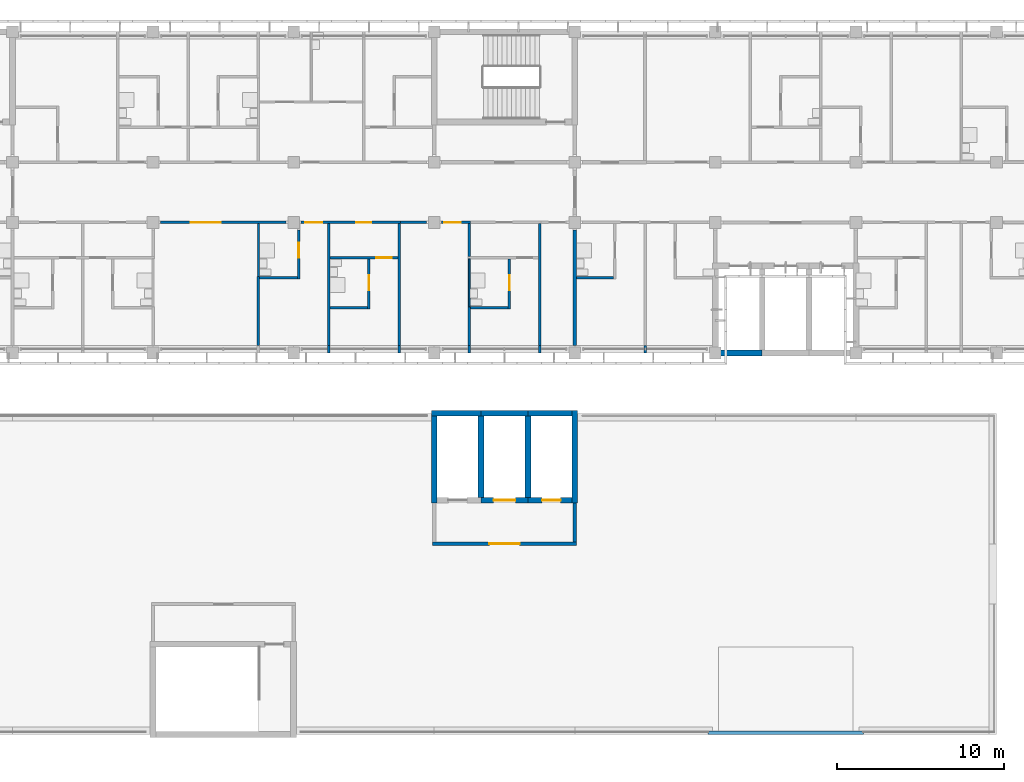
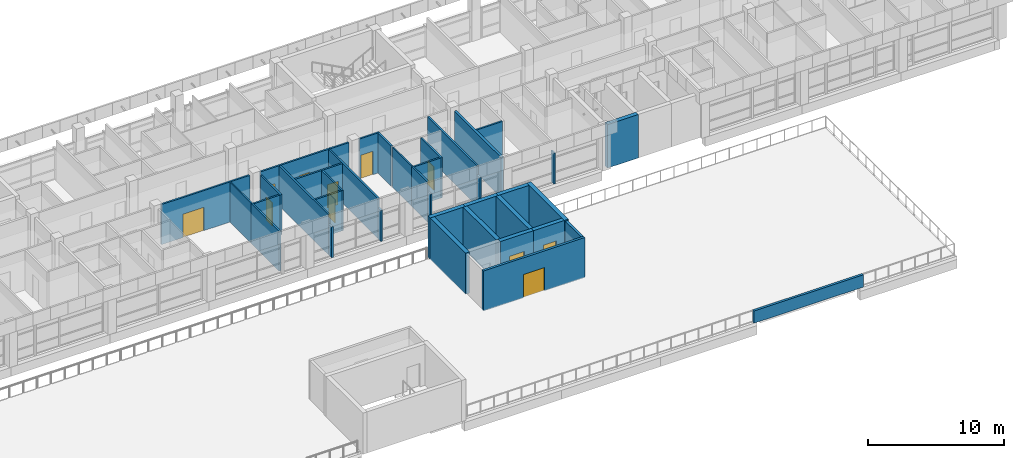
# One storey, part 23 of 46: 39 walls, 11 doors, 11 openings.
"""IFC4 building model written with IfcOpenShell, lengths in metres."""

import ifcopenshell
import ifcopenshell.guid

model = None  # the IFC model being written
_history = None  # IfcOwnerHistory: only IFC2X3 demands one
_inside = {}  # id of a spatial element -> (the spatial element, [elements in it])
_under = {}  # id of a project, library or spatial element -> (it, [spatial elements below it])
_declared = {}  # id of a project -> (the project, [libraries it declares])
_typed = {}  # id of a type object -> (the type object, [elements of that type])
_made_of = {}  # id of a material, layer set ... -> (it, [elements and type objects made of it])


def new_model(schema):
    """Start an empty IFC model of exactly this schema.

    Asked for "IFC4X3", IfcOpenShell would pick the latest addendum, in which some entities
    have other attributes; the version numbers below select the first issue.
    IFC2X3 requires an IfcOwnerHistory on every rooted entity: one is made here for all.
    """
    global model, _history
    if schema == "IFC4X3":
        model = ifcopenshell.file(schema_version=(4, 3, 0, 0))
    else:
        model = ifcopenshell.file(schema=schema)
    _inside.clear()
    _under.clear()
    _declared.clear()
    _typed.clear()
    _made_of.clear()
    _history = None
    if model.schema == "IFC2X3":
        org = make("IfcOrganization", Name="unknown")
        user = make(
            "IfcPersonAndOrganization",
            ThePerson=make("IfcPerson", FamilyName="unknown"),
            TheOrganization=org,
        )
        app = make(
            "IfcApplication",
            ApplicationDeveloper=org,
            Version="unknown",
            ApplicationFullName="unknown",
            ApplicationIdentifier="unknown",
        )
        _history = make(
            "IfcOwnerHistory",
            OwningUser=user,
            OwningApplication=app,
            ChangeAction="ADDED",
            CreationDate=0,
        )
    return model


def make(cls, **values):
    """One entity of the class cls with the attributes given. An attribute that is None is left unset."""
    return model.create_entity(
        cls, **{name: value for name, value in values.items() if value is not None}
    )


def rooted(cls, **values):
    """An entity with a GlobalId (a new one), such as an element, a storey or a relation."""
    return make(cls, GlobalId=ifcopenshell.guid.new(), OwnerHistory=_history, **values)


def si_unit(unit_type, name, prefix=None):
    """IfcSIUnit, for example si_unit("LENGTHUNIT", "METRE", prefix="MILLI")."""
    return make("IfcSIUnit", UnitType=unit_type, Prefix=prefix, Name=name)


def assignment(units):
    """IfcUnitAssignment: the units of a project."""
    return None if units is None else make("IfcUnitAssignment", Units=units)


def point(xyz):
    """IfcCartesianPoint."""
    return None if xyz is None else make("IfcCartesianPoint", Coordinates=xyz)


def direction(xyz):
    """IfcDirection."""
    return None if xyz is None else make("IfcDirection", DirectionRatios=xyz)


def frame(location, z_axis=None, x_axis=None):
    """IfcAxis2Placement3D, a coordinate frame: its origin and axes. An axis left out is left unset."""
    return make(
        "IfcAxis2Placement3D",
        Location=point(location),
        Axis=direction(z_axis),
        RefDirection=direction(x_axis),
    )


def frame_2d(location, x_axis=None):
    """IfcAxis2Placement2D, a coordinate frame in the plane: its origin and x axis."""
    return make(
        "IfcAxis2Placement2D", Location=point(location), RefDirection=direction(x_axis)
    )


def origin():
    """The frame at (0, 0, 0) with its axes left unset."""
    return frame((0.0, 0.0, 0.0))


def place(relative_to, where):
    """IfcLocalPlacement: puts the frame where relative to a parent placement (None: the world)."""
    return make(
        "IfcLocalPlacement", PlacementRelTo=relative_to, RelativePlacement=where
    )


def context(
    kind, dimensions, precision=None, world=None, true_north=None, identifier=None
):
    """IfcGeometricRepresentationContext, for example the 3D "Model" context."""
    return make(
        "IfcGeometricRepresentationContext",
        ContextIdentifier=identifier,
        ContextType=kind,
        CoordinateSpaceDimension=dimensions,
        Precision=precision,
        WorldCoordinateSystem=world,
        TrueNorth=true_north,
    )


def subcontext(parent, identifier, kind, view, scale=None):
    """IfcGeometricRepresentationSubContext, for example "Body" below "Model"."""
    return make(
        "IfcGeometricRepresentationSubContext",
        ContextIdentifier=identifier,
        ContextType=kind,
        ParentContext=parent,
        TargetScale=scale,
        TargetView=view,
    )


def project(units=None, contexts=None):
    """IfcProject with its units and contexts."""
    return rooted(
        "IfcProject",
        Name="project",
        RepresentationContexts=contexts,
        UnitsInContext=assignment(units),
    )


def spatial(cls, under=None, at=None, **own):
    """A site, building, storey or space (cls), placed at a placement, below another one or the project."""
    s = rooted(cls, ObjectPlacement=at, **own)
    if under is not None:
        _under.setdefault(under.id(), (under, []))[1].append(s)
    return s


def polyline(points):
    """IfcPolyline through the points."""
    return make("IfcPolyline", Points=[point(p) for p in points])


def profile(cls, at=None, kind="AREA", **sizes):
    """A parametric profile (cls). Its sizes go by their IFC names, for example OverallWidth=200.0."""
    return make(cls, ProfileType=kind, Position=at, **sizes)


def rectangle(**sizes):
    """IfcRectangleProfileDef."""
    return profile("IfcRectangleProfileDef", **sizes)


def outline(outer, holes=None, kind="AREA"):
    """IfcArbitraryClosedProfileDef: a profile drawn as a closed curve; with holes, ...WithVoids."""
    if holes is None:
        return make("IfcArbitraryClosedProfileDef", ProfileType=kind, OuterCurve=outer)
    return make(
        "IfcArbitraryProfileDefWithVoids",
        ProfileType=kind,
        OuterCurve=outer,
        InnerCurves=holes,
    )


def extrude(swept, where, along, depth):
    """IfcExtrudedAreaSolid: the profile swept, set in the frame where, extruded along a direction by depth."""
    return make(
        "IfcExtrudedAreaSolid",
        SweptArea=swept,
        Position=where,
        ExtrudedDirection=direction(along),
        Depth=depth,
    )


def shape(context_of_items, identifier, shape_type, items):
    """IfcShapeRepresentation: the items that make up one representation, for example the "Body"."""
    return make(
        "IfcShapeRepresentation",
        ContextOfItems=context_of_items,
        RepresentationIdentifier=identifier,
        RepresentationType=shape_type,
        Items=items,
    )


def material(Name=None, Category=None):
    """IfcMaterial."""
    return make("IfcMaterial", Name=Name, Category=Category)


def layer(
    of_material, thickness, ventilated=None, Name=None, Category=None, Priority=None
):
    """IfcMaterialLayer: one layer of a wall or slab, of a material (None: an air gap)."""
    return make(
        "IfcMaterialLayer",
        Material=of_material,
        LayerThickness=thickness,
        IsVentilated=ventilated,
        Name=Name,
        Category=Category,
        Priority=Priority,
    )


def layer_set(layers, Name=None):
    """IfcMaterialLayerSet."""
    return make("IfcMaterialLayerSet", MaterialLayers=layers, LayerSetName=Name)


def made_of(thing, what):
    """Note that an element or type object is made of a material, layer set ...; save() writes the relation."""
    if what is not None:
        _made_of.setdefault(what.id(), (what, []))[1].append(thing)
    return thing


def type_object(cls, material=None, **own):
    """A type object (cls), such as IfcWallType, which elements share."""
    return made_of(rooted(cls, **own), material)


def element(
    cls,
    number,
    at=None,
    inside=None,
    cuts=None,
    type_object=None,
    material=None,
    context=None,
    identifier="Body",
    shape_type=None,
    held_by="IfcProductDefinitionShape",
    body=None,
    shapes=None,
    **own,
):
    """One element of the class cls, such as IfcWall. Its Tag is "e" and its number.

    at: its placement. inside: the storey or other place that contains it. cuts: it is an
    opening in that element (IfcRelVoidsElement). A single representation is given by context,
    identifier, shape_type and body (its items); several are given by shapes. held_by: the class
    of the entity that holds the representations. save() writes the other relations.
    """
    e = rooted(cls, Tag="e%d" % number, ObjectPlacement=at, **own)
    if body is not None:
        shapes = [shape(context, identifier, shape_type, body)]
    if shapes is not None:
        e.Representation = make(held_by, Representations=shapes)
    if inside is not None:
        _inside.setdefault(inside.id(), (inside, []))[1].append(e)
    if cuts is not None:
        rooted(
            "IfcRelVoidsElement", RelatingBuildingElement=cuts, RelatedOpeningElement=e
        )
    if type_object is not None:
        _typed.setdefault(type_object.id(), (type_object, []))[1].append(e)
    return made_of(e, material)


def fill(opening, filler):
    """IfcRelFillsElement: the door or window that sits in an opening."""
    return rooted(
        "IfcRelFillsElement",
        RelatingOpeningElement=opening,
        RelatedBuildingElement=filler,
    )


def aggregate(whole, parts):
    """IfcRelAggregates: a whole, such as a stair, and the parts it consists of."""
    return rooted("IfcRelAggregates", RelatingObject=whole, RelatedObjects=parts)


def save(model, path):
    """Write the relations noted so far, then the file.

    IfcRelAggregates (storeys below a building ...), IfcRelContainedInSpatialStructure (elements
    in a storey), IfcRelDefinesByType, IfcRelAssociatesMaterial and IfcRelDeclares: one each for
    every whole, place, type object, material and project.
    """
    for whole, parts in _under.values():
        aggregate(whole, parts)
    for where, things in _inside.values():
        rooted(
            "IfcRelContainedInSpatialStructure",
            RelatedElements=things,
            RelatingStructure=where,
        )
    for kind, things in _typed.values():
        rooted("IfcRelDefinesByType", RelatedObjects=things, RelatingType=kind)
    for what, things in _made_of.values():
        rooted("IfcRelAssociatesMaterial", RelatedObjects=things, RelatingMaterial=what)
    for by, libraries in _declared.values():
        rooted("IfcRelDeclares", RelatingContext=by, RelatedDefinitions=libraries)
    model.write(path)


model = new_model("IFC4")

# Units and contexts
model_context = context("Model", 3, precision=1e-05, world=origin(), true_north=direction((0.0, 1.0)))
body_context = subcontext(model_context, "Body", "Model", "MODEL_VIEW")
ifc_project = project(units=[si_unit("LENGTHUNIT", "METRE"), si_unit("AREAUNIT", "SQUARE_METRE"), si_unit("VOLUMEUNIT", "CUBIC_METRE"), si_unit("PLANEANGLEUNIT", "RADIAN"), si_unit("MASSUNIT", "GRAM", prefix="KILO")], contexts=[model_context])

# Site, building, storey
site_placement = place(None, origin())
site = spatial("IfcSite", under=ifc_project, at=site_placement, CompositionType="ELEMENT")
building_placement = place(site_placement, origin())
building = spatial("IfcBuilding", under=site, at=building_placement, Name="Bougainvillea Quay General Hospital", CompositionType="ELEMENT")
storey_placement = place(building_placement, frame((0.0, 0.0, 28.800048828125)))
storey = spatial("IfcBuildingStorey", under=building, at=storey_placement, Name="L06", CompositionType="ELEMENT", Elevation=28.800048828125)

# Walls
ifc_material_1 = material(Name="Gypsum board partition on steel studs", Category="steel")
ifc_layer_1 = layer(ifc_material_1, 0.10009765625)
ifc_layer_set_1 = layer_set([ifc_layer_1], Name="Gypsum board partition on steel studs")
wall_type_1 = type_object("IfcWallType", Name="Partition 100 Gypsum board partition", PredefinedType="PARTITIONING", material=ifc_layer_set_1)
wall_1_placement = place(storey_placement, frame((123.89990234375, 144.97509765625, 0.0), z_axis=(0.0, 0.0, 1.0), x_axis=(0.0, 1.0, 0.0)))
element("IfcWall", 1, at=wall_1_placement, inside=storey, type_object=wall_type_1, Name="Partition 100 mm", PredefinedType="PARTITIONING", context=body_context, shape_type="SweptSolid", body=[
    extrude(rectangle(XDim=3.14990234375, YDim=0.10009765625, at=frame_2d((1.574951171875, 0.0))), origin(), (0.0, 0.0, 1.0), 3.599853515625),
])
wall_2_placement = place(storey_placement, frame((136.5, 143.175048828125, 0.0), z_axis=(0.0, 0.0, 1.0), x_axis=(0.0, 1.0, 0.0)))
element("IfcWall", 2, at=wall_2_placement, inside=storey, type_object=wall_type_1, Name="Partition 100 mm", PredefinedType="PARTITIONING", context=body_context, shape_type="SweptSolid", body=[
    extrude(rectangle(XDim=2.849853515625, YDim=0.10009765625, at=frame_2d((1.4248046875, 0.0))), origin(), (0.0, 0.0, 1.0), 3.599853515625),
])
ifc_material_2 = material(Name="Gypsum board partition on steel studs, insulated", Category="steel")
ifc_layer_2 = layer(ifc_material_2, 0.14990234375)
ifc_layer_set_2 = layer_set([ifc_layer_2], Name="Gypsum board partition on steel studs, insulated")
wall_type_2 = type_object("IfcWallType", Name="Partition 150 Gypsum board partition", PredefinedType="PARTITIONING", material=ifc_layer_set_2)
wall_3_placement = place(storey_placement, frame((128.10009765625, 148.125, 0.0), z_axis=(0.0, 0.0, 1.0), x_axis=(0.0, -1.0, 0.0)))
element("IfcWall", 3, at=wall_3_placement, inside=storey, type_object=wall_type_2, Name="Partition 150 mm", PredefinedType="PARTITIONING", context=body_context, shape_type="SweptSolid", body=[
    extrude(rectangle(XDim=7.27490234375, YDim=0.14990234375, at=frame_2d((3.637451171875, 0.0))), origin(), (0.0, 0.0, 1.0), 3.599853515625),
])
for number, where, z_axis, x_axis, name in (
    (4, (128.10009765625, 140.85009765625, 0.0), (0.0, 0.0, 1.0), (0.0, -1.0, 0.0), "Partition 150 mm"),
    (5, (132.300048828125, 140.39990234375, 0.0), (0.0, 0.0, 1.0), (0.0, 1.0, 0.0), "Partition 150 mm"),
):
    element("IfcWall", number, at=place(storey_placement, frame(where, z_axis=z_axis, x_axis=x_axis)), inside=storey, type_object=wall_type_2, Name=name, PredefinedType="PARTITIONING", context=body_context, shape_type="SweptSolid", body=[
        extrude(rectangle(XDim=0.4501953125, YDim=0.14990234375, at=frame_2d((0.22509765625, 0.0))), origin(), (0.0, 0.0, 1.0), 2.780029296875),
    ])
wall_4_placement = place(storey_placement, frame((132.300048828125, 140.85009765625, 0.0), z_axis=(0.0, 0.0, 1.0), x_axis=(0.0, 1.0, 0.0)))
element("IfcWall", 6, at=wall_4_placement, inside=storey, type_object=wall_type_2, Name="Partition 150 mm", PredefinedType="PARTITIONING", context=body_context, shape_type="SweptSolid", body=[
    extrude(rectangle(XDim=7.27490234375, YDim=0.14990234375, at=frame_2d((3.637451171875, 0.0))), origin(), (0.0, 0.0, 1.0), 3.599853515625),
])
wall_5_placement = place(storey_placement, frame((140.699951171875, 140.39990234375, 0.0), z_axis=(0.0, 0.0, 1.0), x_axis=(0.0, 1.0, 0.0)))
element("IfcWall", 7, at=wall_5_placement, inside=storey, type_object=wall_type_2, Name="Partition 150 mm", PredefinedType="PARTITIONING", context=body_context, shape_type="SweptSolid", body=[
    extrude(rectangle(XDim=0.4501953125, YDim=0.14990234375, at=frame_2d((0.22509765625, 0.0))), origin(), (0.0, 0.0, 1.0), 2.780029296875),
])
wall_6_placement = place(storey_placement, frame((140.699951171875, 140.85009765625, 0.0), z_axis=(0.0, 0.0, 1.0), x_axis=(0.0, 1.0, 0.0)))
element("IfcWall", 8, at=wall_6_placement, inside=storey, type_object=wall_type_2, Name="Partition 150 mm", PredefinedType="PARTITIONING", context=body_context, shape_type="SweptSolid", body=[
    extrude(rectangle(XDim=7.27490234375, YDim=0.14990234375, at=frame_2d((3.637451171875, 0.0))), origin(), (0.0, 0.0, 1.0), 3.599853515625),
])
wall_7_placement = place(storey_placement, frame((147.0, 140.39990234375, 0.0), z_axis=(0.0, 0.0, 1.0), x_axis=(0.0, 1.0, 0.0)))
element("IfcWall", 9, at=wall_7_placement, inside=storey, type_object=wall_type_2, Name="Partition 150 mm", PredefinedType="PARTITIONING", context=body_context, shape_type="SweptSolid", body=[
    extrude(rectangle(XDim=0.4501953125, YDim=0.14990234375, at=frame_2d((0.22509765625, 0.0))), origin(), (0.0, 0.0, 1.0), 2.780029296875),
])
wall_8_placement = place(storey_placement, frame((123.89990234375, 140.85009765625, 0.0), z_axis=(0.0, 0.0, 1.0), x_axis=(0.0, 1.0, 0.0)))
element("IfcWall", 10, at=wall_8_placement, inside=storey, type_object=wall_type_2, Name="Partition 150 mm", PredefinedType="PARTITIONING", context=body_context, shape_type="SweptSolid", body=[
    extrude(rectangle(XDim=4.125, YDim=0.14990234375, at=frame_2d((2.0625, 0.0))), origin(), (0.0, 0.0, 1.0), 3.599853515625),
])

# Wall, opening, door
wall_9_placement = place(storey_placement, frame((128.175048828125, 146.10009765625, 0.0), z_axis=(0.0, 0.0, 1.0), x_axis=(1.0, 0.0, 0.0)))
wall_9 = element("IfcWall", 11, at=wall_9_placement, inside=storey, type_object=wall_type_2, Name="Partition 150 mm", PredefinedType="PARTITIONING", context=body_context, shape_type="SweptSolid", body=[
    extrude(rectangle(XDim=4.050048828125, YDim=0.14990234375, at=frame_2d((2.02490234375, 0.0))), origin(), (0.0, 0.0, 1.0), 3.599853515625),
])
opening_1_placement = place(wall_9_placement, frame((2.77490234375, 0.0, 0.0)))
opening_1 = element("IfcOpeningElement", 12, at=opening_1_placement, cuts=wall_9, Name="Opening L06.054", PredefinedType="OPENING", context=body_context, shape_type="SweptSolid", body=[
    extrude(rectangle(XDim=0.89990234375, YDim=2.10009765625, at=frame_2d((0.449951171875, 1.050048828125))), frame((0.0, 0.0849609375, 0.0), z_axis=(0.0, -1.0, 0.0), x_axis=(1.0, 0.0, 0.0)), (0.0, 0.0, 1.0), 0.169921875),
])
ifc_material_3 = material(Name="Solid-core timber door leaf in steel frame", Category="steel")
door_type_1 = type_object("IfcDoorType", Name="Single leaf door 900x2100 FD30S", OperationType="NOTDEFINED", PredefinedType="DOOR", material=ifc_material_3)
door_1_placement = place(opening_1_placement, frame((0.89990234375, 0.0, 0.0), z_axis=(0.0, 0.0, 1.0), x_axis=(-1.0, 0.0, 0.0)))
door_1 = element("IfcDoor", 13, at=door_1_placement, inside=storey, type_object=door_type_1, Name="DT16 L06.054", OperationType="SINGLE_SWING_LEFT", OverallHeight=2.10009765625, OverallWidth=0.89990234375, PredefinedType="DOOR", context=body_context, shape_type="SweptSolid", body=[
    extrude(rectangle(XDim=0.89990234375, YDim=2.10009765625, at=frame_2d((0.449951171875, 1.050048828125))), frame((0.0, 0.02490234375, 0.0), z_axis=(0.0, -1.0, 0.0), x_axis=(1.0, 0.0, 0.0)), (0.0, 0.0, 1.0), 0.050048828125),
])
fill(opening_1, door_1)

wall_10_placement = place(storey_placement, frame((126.300048828125, 144.824951171875, 0.0), z_axis=(0.0, 0.0, 1.0), x_axis=(0.0, 1.0, 0.0)))
wall_10 = element("IfcWall", 14, at=wall_10_placement, inside=storey, type_object=wall_type_2, Name="Partition 150 mm", PredefinedType="PARTITIONING", context=body_context, shape_type="SweptSolid", body=[
    extrude(rectangle(XDim=2.925048828125, YDim=0.14990234375, at=frame_2d((1.46240234375, 0.0))), origin(), (0.0, 0.0, 1.0), 3.599853515625),
])
opening_2_placement = place(wall_10_placement, frame((1.27490234375, 0.0, 0.0)))
opening_2 = element("IfcOpeningElement", 15, at=opening_2_placement, cuts=wall_10, Name="Opening L06.052", PredefinedType="OPENING", context=body_context, shape_type="SweptSolid", body=[
    extrude(rectangle(XDim=0.89990234375, YDim=2.10009765625, at=frame_2d((0.449951171875, 1.050048828125))), frame((0.0, 0.0849609375, 0.0), z_axis=(0.0, -1.0, 0.0), x_axis=(1.0, 0.0, 0.0)), (0.0, 0.0, 1.0), 0.169921875),
])
door_type_2 = type_object("IfcDoorType", Name="Single leaf door 900x2100", OperationType="NOTDEFINED", PredefinedType="DOOR", material=ifc_material_3)
door_2_placement = place(opening_2_placement, origin())
door_2 = element("IfcDoor", 16, at=door_2_placement, inside=storey, type_object=door_type_2, Name="DT07 L06.052", OperationType="SINGLE_SWING_RIGHT", OverallHeight=2.10009765625, OverallWidth=0.89990234375, PredefinedType="DOOR", context=body_context, shape_type="SweptSolid", body=[
    extrude(rectangle(XDim=0.89990234375, YDim=2.10009765625, at=frame_2d((0.449951171875, 1.050048828125))), frame((0.0, 0.02490234375, 0.0), z_axis=(0.0, -1.0, 0.0), x_axis=(1.0, 0.0, 0.0)), (0.0, 0.0, 1.0), 0.050048828125),
])
fill(opening_2, door_2)

wall_11_placement = place(storey_placement, frame((130.5, 143.02490234375, 0.0), z_axis=(0.0, 0.0, 1.0), x_axis=(0.0, 1.0, 0.0)))
wall_11 = element("IfcWall", 17, at=wall_11_placement, inside=storey, type_object=wall_type_2, Name="Partition 150 mm", PredefinedType="PARTITIONING", context=body_context, shape_type="SweptSolid", body=[
    extrude(rectangle(XDim=3.0, YDim=0.14990234375, at=frame_2d((1.5, 0.0))), origin(), (0.0, 0.0, 1.0), 3.599853515625),
])
opening_3_placement = place(wall_11_placement, frame((1.125, 0.0, 0.0)))
opening_3 = element("IfcOpeningElement", 18, at=opening_3_placement, cuts=wall_11, Name="Opening L06.055", PredefinedType="OPENING", context=body_context, shape_type="SweptSolid", body=[
    extrude(rectangle(XDim=0.89990234375, YDim=2.10009765625, at=frame_2d((0.449951171875, 1.050048828125))), frame((0.0, 0.0849609375, 0.0), z_axis=(0.0, -1.0, 0.0), x_axis=(1.0, 0.0, 0.0)), (0.0, 0.0, 1.0), 0.169921875),
])
door_3_placement = place(opening_3_placement, origin())
door_3 = element("IfcDoor", 19, at=door_3_placement, inside=storey, type_object=door_type_2, Name="DT07 L06.055", OperationType="SINGLE_SWING_RIGHT", OverallHeight=2.10009765625, OverallWidth=0.89990234375, PredefinedType="DOOR", context=body_context, shape_type="SweptSolid", body=[
    extrude(rectangle(XDim=0.89990234375, YDim=2.10009765625, at=frame_2d((0.449951171875, 1.050048828125))), frame((0.0, 0.02490234375, 0.0), z_axis=(0.0, -1.0, 0.0), x_axis=(1.0, 0.0, 0.0)), (0.0, 0.0, 1.0), 0.050048828125),
])
fill(opening_3, door_3)

wall_12_placement = place(storey_placement, frame((138.89990234375, 143.02490234375, 0.0), z_axis=(0.0, 0.0, 1.0), x_axis=(0.0, 1.0, 0.0)))
wall_12 = element("IfcWall", 20, at=wall_12_placement, inside=storey, type_object=wall_type_2, Name="Partition 150 mm", PredefinedType="PARTITIONING", context=body_context, shape_type="SweptSolid", body=[
    extrude(rectangle(XDim=3.0, YDim=0.14990234375, at=frame_2d((1.5, 0.0))), origin(), (0.0, 0.0, 1.0), 3.599853515625),
])
opening_4_placement = place(wall_12_placement, frame((1.125, 0.0, 0.0)))
opening_4 = element("IfcOpeningElement", 21, at=opening_4_placement, cuts=wall_12, Name="Opening L06.059", PredefinedType="OPENING", context=body_context, shape_type="SweptSolid", body=[
    extrude(rectangle(XDim=0.89990234375, YDim=2.10009765625, at=frame_2d((0.449951171875, 1.050048828125))), frame((0.0, 0.0849609375, 0.0), z_axis=(0.0, -1.0, 0.0), x_axis=(1.0, 0.0, 0.0)), (0.0, 0.0, 1.0), 0.169921875),
])
door_4_placement = place(opening_4_placement, origin())
door_4 = element("IfcDoor", 22, at=door_4_placement, inside=storey, type_object=door_type_2, Name="DT07 L06.059", OperationType="SINGLE_SWING_RIGHT", OverallHeight=2.10009765625, OverallWidth=0.89990234375, PredefinedType="DOOR", context=body_context, shape_type="SweptSolid", body=[
    extrude(rectangle(XDim=0.89990234375, YDim=2.10009765625, at=frame_2d((0.449951171875, 1.050048828125))), frame((0.0, 0.02490234375, 0.0), z_axis=(0.0, -1.0, 0.0), x_axis=(1.0, 0.0, 0.0)), (0.0, 0.0, 1.0), 0.050048828125),
])
fill(opening_4, door_4)

# Walls
wall_13_placement = place(storey_placement, frame((136.5, 140.39990234375, 0.0), z_axis=(0.0, 0.0, 1.0), x_axis=(0.0, 1.0, 0.0)))
element("IfcWall", 23, at=wall_13_placement, inside=storey, type_object=wall_type_2, Name="Partition 150 mm", PredefinedType="PARTITIONING", context=body_context, shape_type="SweptSolid", body=[
    extrude(rectangle(XDim=0.4501953125, YDim=0.14990234375, at=frame_2d((0.22509765625, 0.0))), origin(), (0.0, 0.0, 1.0), 2.780029296875),
])
wall_14_placement = place(storey_placement, frame((136.5, 140.85009765625, 0.0), z_axis=(0.0, 0.0, 1.0), x_axis=(0.0, 1.0, 0.0)))
element("IfcWall", 24, at=wall_14_placement, inside=storey, type_object=wall_type_2, Name="Partition 150 mm", PredefinedType="PARTITIONING", context=body_context, shape_type="SweptSolid", body=[
    extrude(rectangle(XDim=2.324951171875, YDim=0.14990234375, at=frame_2d((1.16259765625, 0.0))), origin(), (0.0, 0.0, 1.0), 3.599853515625),
])
for number, where, z_axis, x_axis, name in (
    (25, (128.175048828125, 143.10009765625, 0.0), (0.0, 0.0, 1.0), (1.0, 0.0, 0.0), "Partition 150 mm"),
    (26, (136.574951171875, 143.10009765625, 0.0), (0.0, 0.0, 1.0), (1.0, 0.0, 0.0), "Partition 150 mm"),
    (27, (123.97509765625, 144.89990234375, 0.0), (0.0, 0.0, 1.0), (1.0, 0.0, 0.0), "Partition 150 mm"),
):
    element("IfcWall", number, at=place(storey_placement, frame(where, z_axis=z_axis, x_axis=x_axis)), inside=storey, type_object=wall_type_2, Name=name, PredefinedType="PARTITIONING", context=body_context, shape_type="SweptSolid", body=[
        extrude(rectangle(XDim=2.25, YDim=0.14990234375, at=frame_2d((1.125, 0.0))), origin(), (0.0, 0.0, 1.0), 3.599853515625),
    ])
wall_15_placement = place(storey_placement, frame((142.89990234375, 144.89990234375, 0.0), z_axis=(0.0, 0.0, 1.0), x_axis=(1.0, 0.0, 0.0)))
element("IfcWall", 28, at=wall_15_placement, inside=storey, type_object=wall_type_2, Name="Partition 150 mm", PredefinedType="PARTITIONING", context=body_context, shape_type="SweptSolid", body=[
    extrude(rectangle(XDim=2.22509765625, YDim=0.14990234375, at=frame_2d((1.112548828125, 0.0))), origin(), (0.0, 0.0, 1.0), 3.599853515625),
])
wall_16_placement = place(storey_placement, frame((136.5, 146.175048828125, 0.0), z_axis=(0.0, 0.0, 1.0), x_axis=(0.0, 1.0, 0.0)))
element("IfcWall", 29, at=wall_16_placement, inside=storey, type_object=wall_type_2, Name="Partition 150 mm", PredefinedType="PARTITIONING", context=body_context, shape_type="SweptSolid", body=[
    extrude(rectangle(XDim=1.949951171875, YDim=0.14990234375, at=frame_2d((0.97509765625, 0.0))), origin(), (0.0, 0.0, 1.0), 3.599853515625),
])

# Wall, openings, doors
ifc_layer_3 = layer(ifc_material_2, 0.14990234375)
ifc_layer_set_3 = layer_set([ifc_layer_3], Name="Gypsum board partition on steel studs, insulated")
wall_type_3 = type_object("IfcWallType", Name="Partition 150 Gypsum board partition EI 30", PredefinedType="PARTITIONING", material=ifc_layer_set_3)
wall_17_placement = place(storey_placement, frame((132.375, 148.199951171875, 0.0), z_axis=(0.0, 0.0, 1.0), x_axis=(-1.0, 0.0, 0.0)))
wall_17 = element("IfcWall", 30, at=wall_17_placement, inside=storey, type_object=wall_type_3, Name="Partition 150 mm EI 30", PredefinedType="PARTITIONING", context=body_context, shape_type="SweptSolid", body=[
    extrude(rectangle(XDim=5.925048828125, YDim=0.14990234375, at=frame_2d((2.96240234375, 0.0))), origin(), (0.0, 0.0, 1.0), 3.599853515625),
])
opening_5_placement = place(wall_17_placement, frame((4.675048828125, 0.0, 0.0)))
opening_5 = element("IfcOpeningElement", 31, at=opening_5_placement, cuts=wall_17, Name="Opening L06.051", PredefinedType="OPENING", context=body_context, shape_type="SweptSolid", body=[
    extrude(rectangle(XDim=1.0, YDim=2.10009765625, at=frame_2d((0.5, 1.050048828125))), frame((0.0, 0.0849609375, 0.0), z_axis=(0.0, -1.0, 0.0), x_axis=(1.0, 0.0, 0.0)), (0.0, 0.0, 1.0), 0.169921875),
])
opening_6_placement = place(wall_17_placement, frame((1.72509765625, 0.0, 0.0)))
opening_6 = element("IfcOpeningElement", 32, at=opening_6_placement, cuts=wall_17, Name="Opening L06.053", PredefinedType="OPENING", context=body_context, shape_type="SweptSolid", body=[
    extrude(rectangle(XDim=0.89990234375, YDim=2.10009765625, at=frame_2d((0.449951171875, 1.050048828125))), frame((0.0, 0.0849609375, 0.0), z_axis=(0.0, -1.0, 0.0), x_axis=(1.0, 0.0, 0.0)), (0.0, 0.0, 1.0), 0.169921875),
])
door_type_3 = type_object("IfcDoorType", Name="Single leaf door 1000x2100 FD30S", OperationType="NOTDEFINED", PredefinedType="DOOR", material=ifc_material_3)
door_5_placement = place(opening_5_placement, origin())
door_5 = element("IfcDoor", 33, at=door_5_placement, inside=storey, type_object=door_type_3, Name="DT15 L06.051", OperationType="SINGLE_SWING_RIGHT", OverallHeight=2.10009765625, OverallWidth=1.0, PredefinedType="DOOR", context=body_context, shape_type="SweptSolid", body=[
    extrude(rectangle(XDim=1.0, YDim=2.10009765625, at=frame_2d((0.5, 1.050048828125))), frame((0.0, 0.02490234375, 0.0), z_axis=(0.0, -1.0, 0.0), x_axis=(1.0, 0.0, 0.0)), (0.0, 0.0, 1.0), 0.050048828125),
])
fill(opening_5, door_5)
door_6_placement = place(opening_6_placement, origin())
door_6 = element("IfcDoor", 34, at=door_6_placement, inside=storey, type_object=door_type_1, Name="DT16 L06.053", OperationType="SINGLE_SWING_LEFT", OverallHeight=2.10009765625, OverallWidth=0.89990234375, PredefinedType="DOOR", context=body_context, shape_type="SweptSolid", body=[
    extrude(rectangle(XDim=0.89990234375, YDim=2.10009765625, at=frame_2d((0.449951171875, 1.050048828125))), frame((0.0, 0.02490234375, 0.0), z_axis=(0.0, -1.0, 0.0), x_axis=(1.0, 0.0, 0.0)), (0.0, 0.0, 1.0), 0.050048828125),
])
fill(opening_6, door_6)

# Wall, opening, door
wall_18_placement = place(storey_placement, frame((125.550048828125, 148.199951171875, 0.0), z_axis=(0.0, 0.0, 1.0), x_axis=(-1.0, 0.0, 0.0)))
wall_18 = element("IfcWall", 35, at=wall_18_placement, inside=storey, type_object=wall_type_3, Name="Partition 150 mm EI 30", PredefinedType="PARTITIONING", context=body_context, shape_type="SweptSolid", body=[
    extrude(rectangle(XDim=7.5, YDim=0.14990234375, at=frame_2d((3.75, 0.0))), origin(), (0.0, 0.0, 1.0), 3.599853515625),
])
opening_7_placement = place(wall_18_placement, frame((3.89990234375, 0.0, 0.0)))
opening_7 = element("IfcOpeningElement", 36, at=opening_7_placement, cuts=wall_18, Name="Opening L06.050", PredefinedType="OPENING", context=body_context, shape_type="SweptSolid", body=[
    extrude(rectangle(XDim=1.800048828125, YDim=2.10009765625, at=frame_2d((0.89990234375, 1.050048828125))), frame((0.0, 0.0849609375, 0.0), z_axis=(0.0, -1.0, 0.0), x_axis=(1.0, 0.0, 0.0)), (0.0, 0.0, 1.0), 0.169921875),
])
ifc_material_4 = material(Name="Solid-core timber door leaves in steel frame", Category="steel")
door_type_4 = type_object("IfcDoorType", Name="Double leaf door 1800x2100 FD30S", OperationType="DOUBLE_DOOR_SINGLE_SWING", PredefinedType="DOOR", material=ifc_material_4)
door_7_placement = place(opening_7_placement, origin())
door_7 = element("IfcDoor", 37, at=door_7_placement, inside=storey, type_object=door_type_4, Name="DT17 L06.050", OperationType="DOUBLE_DOOR_SINGLE_SWING", OverallHeight=2.10009765625, OverallWidth=1.800048828125, PredefinedType="DOOR", context=body_context, shape_type="SweptSolid", body=[
    extrude(rectangle(XDim=1.800048828125, YDim=2.10009765625, at=frame_2d((0.89990234375, 1.050048828125))), frame((0.0, 0.02490234375, 0.0), z_axis=(0.0, -1.0, 0.0), x_axis=(1.0, 0.0, 0.0)), (0.0, 0.0, 1.0), 0.050048828125),
])
fill(opening_7, door_7)

# Wall
ifc_layer_4 = layer(ifc_material_2, 0.14990234375)
ifc_layer_set_4 = layer_set([ifc_layer_4], Name="Gypsum board partition on steel studs, insulated")
wall_type_4 = type_object("IfcWallType", Name="Partition 150 Gypsum board partition EI 60", PredefinedType="PARTITIONING", material=ifc_layer_set_4)
wall_19_placement = place(storey_placement, frame((132.375, 148.199951171875, 0.0), z_axis=(0.0, 0.0, 1.0), x_axis=(1.0, 0.0, 0.0)))
element("IfcWall", 38, at=wall_19_placement, inside=storey, type_object=wall_type_4, Name="Partition 150 mm EI 60", PredefinedType="PARTITIONING", context=body_context, shape_type="SweptSolid", body=[
    extrude(rectangle(XDim=1.574951171875, YDim=0.14990234375, at=frame_2d((0.78759765625, 0.0))), origin(), (0.0, 0.0, 1.0), 3.599853515625),
])

# Wall, opening, door
wall_20_placement = place(storey_placement, frame((134.85009765625, 148.199951171875, 0.0), z_axis=(0.0, 0.0, 1.0), x_axis=(1.0, 0.0, 0.0)))
wall_20 = element("IfcWall", 39, at=wall_20_placement, inside=storey, type_object=wall_type_4, Name="Partition 150 mm EI 60", PredefinedType="PARTITIONING", context=body_context, shape_type="SweptSolid", body=[
    extrude(rectangle(XDim=1.724853515625, YDim=0.14990234375, at=frame_2d((0.8623046875, 0.0))), origin(), (0.0, 0.0, 1.0), 3.599853515625),
])
opening_8_placement = place(wall_20_placement, frame((0.14990234375, 0.0, 0.0)))
opening_8 = element("IfcOpeningElement", 40, at=opening_8_placement, cuts=wall_20, Name="Opening L06.056", PredefinedType="OPENING", context=body_context, shape_type="SweptSolid", body=[
    extrude(rectangle(XDim=1.0, YDim=2.10009765625, at=frame_2d((0.5, 1.050048828125))), frame((0.0, 0.0849609375, 0.0), z_axis=(0.0, -1.0, 0.0), x_axis=(1.0, 0.0, 0.0)), (0.0, 0.0, 1.0), 0.169921875),
])
door_type_5 = type_object("IfcDoorType", Name="Single leaf door 1000x2100 FD60", OperationType="NOTDEFINED", PredefinedType="DOOR", material=ifc_material_3)
door_8_placement = place(opening_8_placement, frame((1.0, 0.0, 0.0), z_axis=(0.0, 0.0, 1.0), x_axis=(-1.0, 0.0, 0.0)))
door_8 = element("IfcDoor", 41, at=door_8_placement, inside=storey, type_object=door_type_5, Name="DT14 L06.056", OperationType="SINGLE_SWING_RIGHT", OverallHeight=2.10009765625, OverallWidth=1.0, PredefinedType="DOOR", context=body_context, shape_type="SweptSolid", body=[
    extrude(rectangle(XDim=1.0, YDim=2.10009765625, at=frame_2d((0.5, 1.050048828125))), frame((0.0, 0.02490234375, 0.0), z_axis=(0.0, -1.0, 0.0), x_axis=(1.0, 0.0, 0.0)), (0.0, 0.0, 1.0), 0.050048828125),
])
fill(opening_8, door_8)

# Wall
ifc_material_5 = material(Name="Fire-rated autoclaved aerated block wall, plastered")
ifc_layer_5 = layer(ifc_material_5, 0.199951171875)
ifc_layer_set_5 = layer_set([ifc_layer_5], Name="Fire-rated autoclaved aerated block wall, plastered")
wall_type_5 = type_object("IfcWallType", Name="Partition 200 Fire-rated autoclaved aerated block wall EI 120", PredefinedType="SOLIDWALL", material=ifc_layer_set_5)
wall_21_placement = place(storey_placement, frame((142.800048828125, 147.75, 0.0), z_axis=(0.0, 0.0, 1.0), x_axis=(0.0, -1.0, 0.0)))
element("IfcWall", 42, at=wall_21_placement, inside=storey, type_object=wall_type_5, Name="Partition 200 mm EI 120", PredefinedType="SOLIDWALL", context=body_context, shape_type="SweptSolid", body=[
    extrude(rectangle(XDim=6.89990234375, YDim=0.199951171875, at=frame_2d((3.449951171875, 0.0))), origin(), (0.0, 0.0, 1.0), 3.599853515625),
])

# Wall, opening, door
wall_22_placement = place(storey_placement, frame((134.300048828125, 129.0, 0.0), z_axis=(0.0, 0.0, 1.0), x_axis=(1.0, 0.0, 0.0)))
wall_22 = element("IfcWall", 43, at=wall_22_placement, inside=storey, type_object=wall_type_5, Name="Partition 200 mm EI 120", PredefinedType="SOLIDWALL", context=body_context, shape_type="SweptSolid", body=[
    extrude(rectangle(XDim=8.599853515625, YDim=0.199951171875, at=frame_2d((4.2998046875, 0.0))), origin(), (0.0, 0.0, 1.0), 3.599853515625),
])
opening_9_placement = place(wall_22_placement, frame((3.39990234375, 0.0, 0.0)))
opening_9 = element("IfcOpeningElement", 44, at=opening_9_placement, cuts=wall_22, Name="Opening L06.108", PredefinedType="OPENING", context=body_context, shape_type="SweptSolid", body=[
    extrude(rectangle(XDim=1.800048828125, YDim=2.10009765625, at=frame_2d((0.89990234375, 1.050048828125))), frame((0.0, 0.10986328125, 0.0), z_axis=(0.0, -1.0, 0.0), x_axis=(1.0, 0.0, 0.0)), (0.0, 0.0, 1.0), 0.219970703125),
])
ifc_material_6 = material(Name="Steel fire door leaves in steel frame", Category="steel")
door_type_6 = type_object("IfcDoorType", Name="Steel double leaf door 1800x2100 FD60", OperationType="DOUBLE_DOOR_SINGLE_SWING", PredefinedType="DOOR", material=ifc_material_6)
door_9_placement = place(opening_9_placement, origin())
door_9 = element("IfcDoor", 45, at=door_9_placement, inside=storey, type_object=door_type_6, Name="DT05 L06.108", OperationType="DOUBLE_DOOR_SINGLE_SWING", OverallHeight=2.10009765625, OverallWidth=1.800048828125, PredefinedType="DOOR", context=body_context, shape_type="SweptSolid", body=[
    extrude(rectangle(XDim=1.800048828125, YDim=2.10009765625, at=frame_2d((0.89990234375, 1.050048828125))), frame((0.0, 0.02490234375, 0.0), z_axis=(0.0, -1.0, 0.0), x_axis=(1.0, 0.0, 0.0)), (0.0, 0.0, 1.0), 0.050048828125),
])
fill(opening_9, door_9)

# Walls
wall_23_placement = place(storey_placement, frame((142.800048828125, 129.10009765625, 0.0), z_axis=(0.0, 0.0, 1.0), x_axis=(0.0, 1.0, 0.0)))
element("IfcWall", 46, at=wall_23_placement, inside=storey, type_object=wall_type_5, Name="Partition 200 mm EI 120", PredefinedType="SOLIDWALL", context=body_context, shape_type="SweptSolid", body=[
    extrude(rectangle(XDim=2.324951171875, YDim=0.199951171875, at=frame_2d((1.16259765625, 0.0))), origin(), (0.0, 0.0, 1.0), 3.599853515625),
])
ifc_material_7 = material(Name="Concrete C40", Category="concrete")
ifc_layer_6 = layer(ifc_material_7, 0.35009765625)
ifc_layer_set_6 = layer_set([ifc_layer_6], Name="Concrete C40")
wall_type_6 = type_object("IfcWallType", Name="RC SHEAR WALL 350 C40", PredefinedType="SHEAR", material=ifc_layer_set_6)
wall_24_placement = place(storey_placement, frame((134.22509765625, 136.800048828125, 0.0), z_axis=(0.0, 0.0, 1.0), x_axis=(1.0, 0.0, 0.0)))
element("IfcWall", 47, at=wall_24_placement, inside=storey, type_object=wall_type_6, Name="Shear wall L06", PredefinedType="SHEAR", context=body_context, shape_type="SweptSolid", body=[
    extrude(rectangle(XDim=2.974853515625, YDim=0.35009765625, at=frame_2d((1.4873046875, 0.0))), origin(), (0.0, 0.0, 1.0), 3.699951171875),
])
wall_25_placement = place(storey_placement, frame((134.39990234375, 131.425048828125, 0.0), z_axis=(0.0, 0.0, 1.0), x_axis=(0.0, 1.0, 0.0)))
element("IfcWall", 48, at=wall_25_placement, inside=storey, type_object=wall_type_6, Name="Shear wall L06", PredefinedType="SHEAR", context=body_context, shape_type="SweptSolid", body=[
    extrude(rectangle(XDim=5.199951171875, YDim=0.35009765625, at=frame_2d((2.60009765625, 0.0))), origin(), (0.0, 0.0, 1.0), 3.699951171875),
])

# Wall, opening, door
wall_26_placement = place(storey_placement, frame((137.199951171875, 131.60009765625, 0.0), z_axis=(0.0, 0.0, 1.0), x_axis=(1.0, 0.0, 0.0)))
wall_26 = element("IfcWall", 49, at=wall_26_placement, inside=storey, type_object=wall_type_6, Name="Shear wall L06", PredefinedType="SHEAR", context=body_context, shape_type="SweptSolid", body=[
    extrude(rectangle(XDim=2.800048828125, YDim=0.35009765625, at=frame_2d((1.39990234375, 0.0))), origin(), (0.0, 0.0, 1.0), 3.699951171875),
])
opening_10_placement = place(wall_26_placement, frame((0.75, 0.0, 0.0)))
opening_10 = element("IfcOpeningElement", 50, at=opening_10_placement, cuts=wall_26, Name="Opening LD-B2.2-L06", PredefinedType="OPENING", context=body_context, shape_type="SweptSolid", body=[
    extrude(rectangle(XDim=1.300048828125, YDim=2.10009765625, at=frame_2d((0.64990234375, 1.050048828125))), frame((0.0, 0.18505859375, 0.0), z_axis=(0.0, -1.0, 0.0), x_axis=(1.0, 0.0, 0.0)), (0.0, 0.0, 1.0), 0.3701171875),
])
ifc_material_8 = material(Name="Stainless steel centre-opening landing door", Category="steel")
door_type_7 = type_object("IfcDoorType", Name="Lift landing door 1300x2100 E 120", OperationType="DOUBLE_DOOR_SLIDING", PredefinedType="DOOR", material=ifc_material_8)
door_10_placement = place(opening_10_placement, origin())
door_10 = element("IfcDoor", 51, at=door_10_placement, inside=storey, type_object=door_type_7, Name="Lift landing door LB-B2-2 L06", OperationType="DOUBLE_DOOR_SLIDING", OverallHeight=2.10009765625, OverallWidth=1.300048828125, PredefinedType="DOOR", context=body_context, shape_type="SweptSolid", body=[
    extrude(rectangle(XDim=1.300048828125, YDim=2.10009765625, at=frame_2d((0.64990234375, 1.050048828125))), frame((0.0, 0.02490234375, 0.0), z_axis=(0.0, -1.0, 0.0), x_axis=(1.0, 0.0, 0.0)), (0.0, 0.0, 1.0), 0.050048828125),
])
fill(opening_10, door_10)

# Walls
wall_27_placement = place(storey_placement, frame((137.199951171875, 131.77490234375, 0.0), z_axis=(0.0, 0.0, 1.0), x_axis=(0.0, 1.0, 0.0)))
element("IfcWall", 52, at=wall_27_placement, inside=storey, type_object=wall_type_6, Name="Shear wall L06", PredefinedType="SHEAR", context=body_context, shape_type="SweptSolid", body=[
    extrude(rectangle(XDim=4.85009765625, YDim=0.35009765625, at=frame_2d((2.425048828125, 0.0))), origin(), (0.0, 0.0, 1.0), 3.699951171875),
])
wall_28_placement = place(storey_placement, frame((137.199951171875, 136.800048828125, 0.0), z_axis=(0.0, 0.0, 1.0), x_axis=(1.0, 0.0, 0.0)))
element("IfcWall", 53, at=wall_28_placement, inside=storey, type_object=wall_type_6, Name="Shear wall L06", PredefinedType="SHEAR", context=body_context, shape_type="SweptSolid", body=[
    extrude(rectangle(XDim=2.800048828125, YDim=0.35009765625, at=frame_2d((1.39990234375, 0.0))), origin(), (0.0, 0.0, 1.0), 3.699951171875),
])

# Wall, opening, door
wall_29_placement = place(storey_placement, frame((140.0, 131.60009765625, 0.0), z_axis=(0.0, 0.0, 1.0), x_axis=(1.0, 0.0, 0.0)))
wall_29 = element("IfcWall", 54, at=wall_29_placement, inside=storey, type_object=wall_type_6, Name="Shear wall L06", PredefinedType="SHEAR", context=body_context, shape_type="SweptSolid", body=[
    extrude(rectangle(XDim=2.625, YDim=0.35009765625, at=frame_2d((1.3125, 0.0))), origin(), (0.0, 0.0, 1.0), 3.699951171875),
])
opening_11_placement = place(wall_29_placement, frame((0.85009765625, 0.0, 0.0)))
opening_11 = element("IfcOpeningElement", 55, at=opening_11_placement, cuts=wall_29, Name="Opening LD-B2.3-L06", PredefinedType="OPENING", context=body_context, shape_type="SweptSolid", body=[
    extrude(rectangle(XDim=1.10009765625, YDim=2.10009765625, at=frame_2d((0.550048828125, 1.050048828125))), frame((0.0, 0.18505859375, 0.0), z_axis=(0.0, -1.0, 0.0), x_axis=(1.0, 0.0, 0.0)), (0.0, 0.0, 1.0), 0.3701171875),
])
door_type_8 = type_object("IfcDoorType", Name="Lift landing door 1100x2100 E 120", OperationType="DOUBLE_DOOR_SLIDING", PredefinedType="DOOR", material=ifc_material_8)
door_11_placement = place(opening_11_placement, origin())
door_11 = element("IfcDoor", 56, at=door_11_placement, inside=storey, type_object=door_type_8, Name="Lift landing door LB-B2-3 L06", OperationType="DOUBLE_DOOR_SLIDING", OverallHeight=2.10009765625, OverallWidth=1.10009765625, PredefinedType="DOOR", context=body_context, shape_type="SweptSolid", body=[
    extrude(rectangle(XDim=1.10009765625, YDim=2.10009765625, at=frame_2d((0.550048828125, 1.050048828125))), frame((0.0, 0.02490234375, 0.0), z_axis=(0.0, -1.0, 0.0), x_axis=(1.0, 0.0, 0.0)), (0.0, 0.0, 1.0), 0.050048828125),
])
fill(opening_11, door_11)

# Walls
wall_30_placement = place(storey_placement, frame((140.0, 131.77490234375, 0.0), z_axis=(0.0, 0.0, 1.0), x_axis=(0.0, 1.0, 0.0)))
element("IfcWall", 57, at=wall_30_placement, inside=storey, type_object=wall_type_6, Name="Shear wall L06", PredefinedType="SHEAR", context=body_context, shape_type="SweptSolid", body=[
    extrude(rectangle(XDim=4.85009765625, YDim=0.35009765625, at=frame_2d((2.425048828125, 0.0))), origin(), (0.0, 0.0, 1.0), 3.699951171875),
])
wall_31_placement = place(storey_placement, frame((140.0, 136.800048828125, 0.0), z_axis=(0.0, 0.0, 1.0), x_axis=(1.0, 0.0, 0.0)))
element("IfcWall", 58, at=wall_31_placement, inside=storey, type_object=wall_type_6, Name="Shear wall L06", PredefinedType="SHEAR", context=body_context, shape_type="SweptSolid", body=[
    extrude(rectangle(XDim=2.625, YDim=0.35009765625, at=frame_2d((1.3125, 0.0))), origin(), (0.0, 0.0, 1.0), 3.699951171875),
])
wall_32_placement = place(storey_placement, frame((142.800048828125, 131.425048828125, 0.0), z_axis=(0.0, 0.0, 1.0), x_axis=(0.0, 1.0, 0.0)))
element("IfcWall", 59, at=wall_32_placement, inside=storey, type_object=wall_type_6, Name="Shear wall L06", PredefinedType="SHEAR", context=body_context, shape_type="SweptSolid", body=[
    extrude(rectangle(XDim=5.550048828125, YDim=0.35009765625, at=frame_2d((2.77490234375, 0.0))), origin(), (0.0, 0.0, 1.0), 3.699951171875),
])
wall_33_placement = place(storey_placement, frame((151.375, 140.39990234375, 0.0), z_axis=(0.0, 0.0, 1.0), x_axis=(1.0, 0.0, 0.0)))
element("IfcWall", 60, at=wall_33_placement, inside=storey, type_object=wall_type_6, Name="Shear wall L06", PredefinedType="SHEAR", context=body_context, shape_type="SweptSolid", body=[
    extrude(rectangle(XDim=2.625, YDim=0.35009765625, at=frame_2d((1.3125, 0.0))), origin(), (0.0, 0.0, 1.0), 3.89990234375),
])
ifc_material_9 = material(Name="Concrete C35 upstand, painted white", Category="concrete")
ifc_layer_7 = layer(ifc_material_9, 0.199951171875)
ifc_layer_set_7 = layer_set([ifc_layer_7], Name="Concrete C35 upstand, painted white")
wall_type_7 = type_object("IfcWallType", Name="Roof parapet wall 200", PredefinedType="PARAPET", material=ifc_layer_set_7)
wall_34_placement = place(storey_placement, origin())
element("IfcWall", 61, at=wall_34_placement, inside=storey, type_object=wall_type_7, Name="Roof parapet par 3", PredefinedType="PARAPET", context=body_context, shape_type="SweptSolid", body=[
    extrude(outline(polyline([(150.75, 117.800048828125), (160.050048828125, 117.800048828125), (160.050048828125, 117.60009765625), (150.75, 117.60009765625), (150.75, 117.800048828125)])), origin(), (0.0, 0.0, 1.0), 1.099853515625),
])

save(model, "model.ifc")
